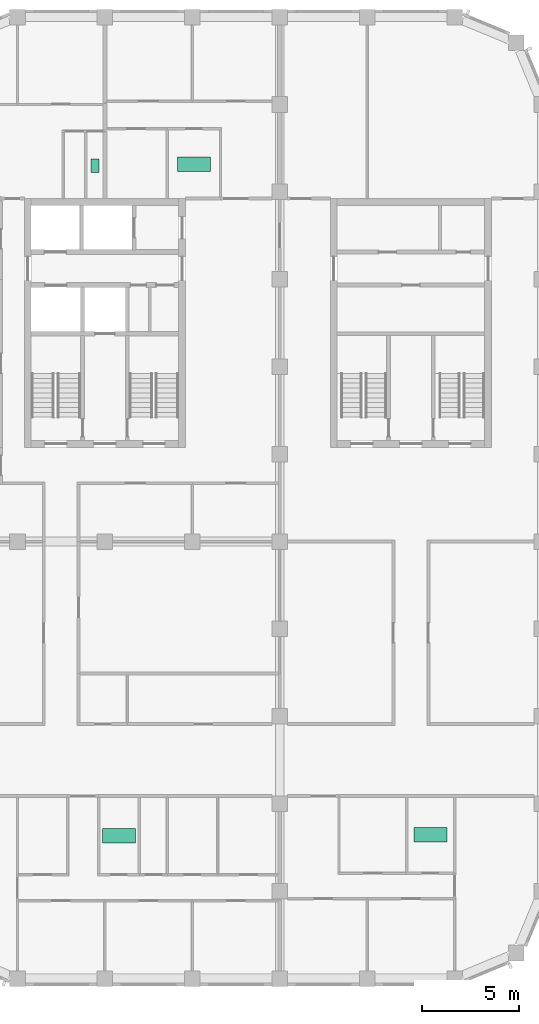
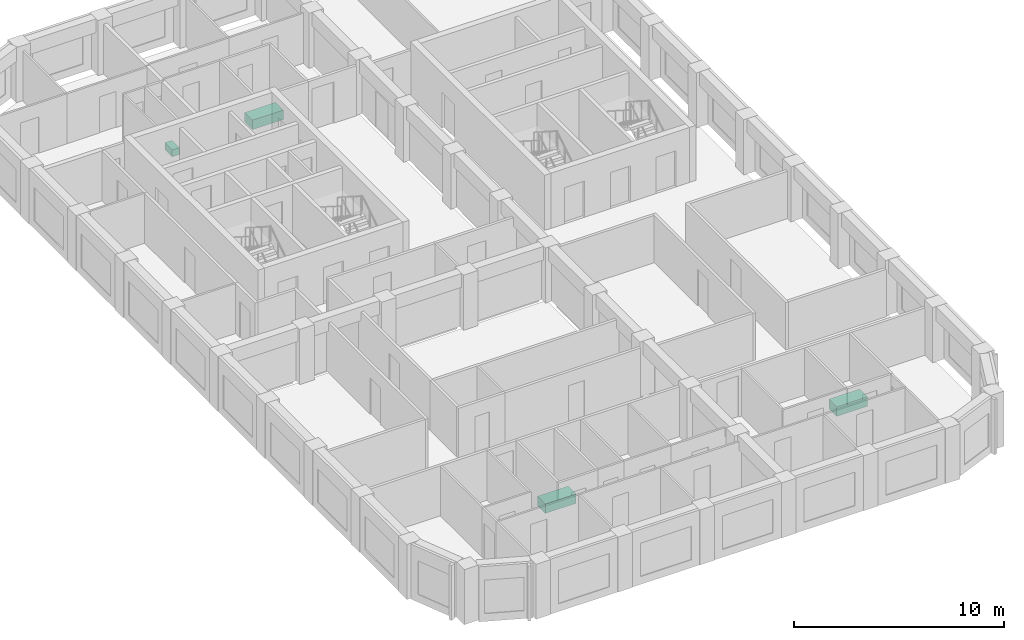
# One storey, part 10 of 10: 4 sanitary terminals.
"""IFC4 building model written with IfcOpenShell, lengths in metres."""

from ifc_helpers import new_model, si_unit, direction, frame, origin, origin_2d, place, context, subcontext, project, spatial, rectangle, extrude, material, type_object, element, save


model = new_model("IFC4")

# Units and contexts
model_context = context("Model", 3, precision=1e-05, world=origin(), true_north=direction((0.0, 1.0)))
body_context = subcontext(model_context, "Body", "Model", "MODEL_VIEW")
ifc_project = project(units=[si_unit("LENGTHUNIT", "METRE"), si_unit("AREAUNIT", "SQUARE_METRE"), si_unit("VOLUMEUNIT", "CUBIC_METRE"), si_unit("PLANEANGLEUNIT", "RADIAN"), si_unit("MASSUNIT", "GRAM", prefix="KILO")], contexts=[model_context])

# Site, building, storey
site_placement = place(None, origin())
site = spatial("IfcSite", under=ifc_project, at=site_placement, CompositionType="ELEMENT")
building_placement = place(site_placement, origin())
building = spatial("IfcBuilding", under=site, at=building_placement, Name="Girih Gate Residences", CompositionType="ELEMENT")
storey_placement = place(building_placement, frame((0.0, 0.0, 192.300048828125)))
storey = spatial("IfcBuildingStorey", under=building, at=storey_placement, Name="L53", CompositionType="ELEMENT", Elevation=192.300048828125)

# Sanitary terminals
ifc_material_1 = material(Name="Acrylic")
sanitary_terminal_type_1 = type_object("IfcSanitaryTerminalType", Name="Bath 1700", PredefinedType="BATH", material=ifc_material_1)
for number, where, z_axis, x_axis, name in (
    (1, (9.72412109375, 7.364013671875, 0.0), (0.0, 0.0, 1.0), (1.0, 0.0, 0.0), "Bath 1700 L53"),
    (2, (13.574951171875, 41.9140625, 0.0), (0.0, 0.0, 1.0), (1.0, 0.0, 0.0), "Bath 1700 L53"),
    (3, (25.76708984375, 7.404052734375, 0.0), (0.0, 0.0, 1.0), (1.0, 0.0, 0.0), "Bath 1700 L53"),
):
    element("IfcSanitaryTerminal", number, at=place(storey_placement, frame(where, z_axis=z_axis, x_axis=x_axis)), inside=storey, type_object=sanitary_terminal_type_1, Name=name, PredefinedType="BATH", context=body_context, shape_type="SweptSolid", body=[
        extrude(rectangle(XDim=1.699951171875, YDim=0.75, at=origin_2d()), origin(), (0.0, 0.0, 1.0), 0.550048828125),
    ])
ifc_material_2 = material(Name="Vitreous china")
sanitary_terminal_type_2 = type_object("IfcSanitaryTerminalType", Name="WC pan", PredefinedType="TOILETPAN", material=ifc_material_2)
sanitary_terminal_placement = place(storey_placement, frame((8.492919921875, 41.85400390625, 0.0), z_axis=(0.0, 0.0, 1.0), x_axis=(1.0, 0.0, 0.0)))
element("IfcSanitaryTerminal", 4, at=sanitary_terminal_placement, inside=storey, type_object=sanitary_terminal_type_2, Name="WC pan L53", PredefinedType="TOILETPAN", context=body_context, shape_type="SweptSolid", body=[
    extrude(rectangle(XDim=0.39990234375, YDim=0.699951171875, at=origin_2d()), origin(), (0.0, 0.0, 1.0), 0.39990234375),
])

save(model, "model.ifc")
